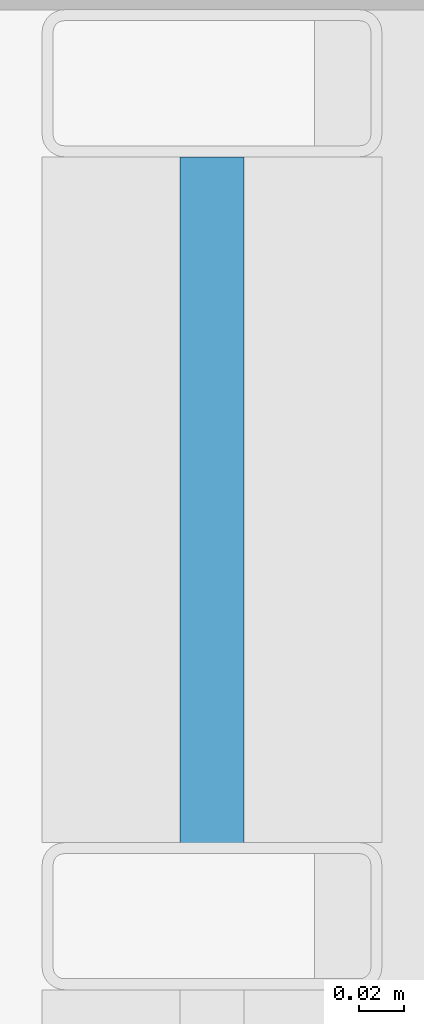
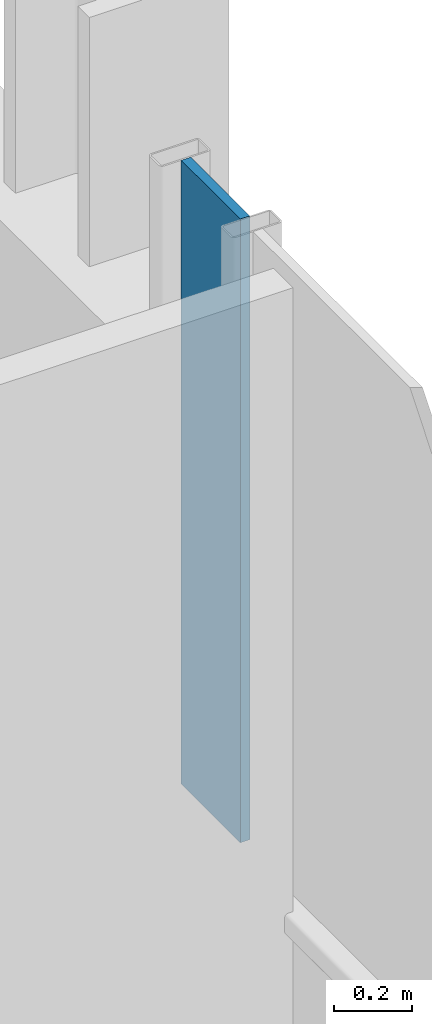
# One storey, part 28 of 41: 1 plate, 1 element without a shape of its own.
"""IFC4 building model written with IfcOpenShell, lengths in metres."""

from ifc_helpers import new_model, si_unit, direction, frame, origin, origin_2d, place, context, subcontext, project, spatial, rectangle, extrude, material, layer, layer_set, type_object, element, aggregate, save


model = new_model("IFC4")

# Units and contexts
model_context = context("Model", 3, precision=1e-05, world=origin(), true_north=direction((0.0, 1.0)))
body_context = subcontext(model_context, "Body", "Model", "MODEL_VIEW")
ifc_project = project(units=[si_unit("LENGTHUNIT", "METRE"), si_unit("AREAUNIT", "SQUARE_METRE"), si_unit("VOLUMEUNIT", "CUBIC_METRE"), si_unit("PLANEANGLEUNIT", "RADIAN"), si_unit("MASSUNIT", "GRAM", prefix="KILO")], contexts=[model_context])

# Site, building, storey
site_placement = place(None, origin())
site = spatial("IfcSite", under=ifc_project, at=site_placement, CompositionType="ELEMENT")
building_placement = place(site_placement, origin())
building = spatial("IfcBuilding", under=site, at=building_placement, Name="Brevholm Reach", CompositionType="ELEMENT")
storey_placement = place(building_placement, frame((0.0, 0.0, 106.60009765625)))
storey = spatial("IfcBuildingStorey", under=building, at=storey_placement, Name="L31", CompositionType="ELEMENT", Elevation=106.60009765625)

# Curtain wall, plate
ifc_material_1 = material(Name="Dark Anodised Aluminium 6063-T6 and Solar-Control Glass", Category="aluminium")
ifc_layer_1 = layer(ifc_material_1, 0.14990234375)
ifc_layer_set_1 = layer_set([ifc_layer_1], Name="Dark Anodised Aluminium 6063-T6 and Solar-Control Glass")
curtain_wall_type = type_object("IfcCurtainWallType", Name="CW-01", PredefinedType="NOTDEFINED", material=ifc_layer_set_1)
curtain_wall_placement = place(storey_placement, origin())
curtain_wall = element("IfcCurtainWall", 1, at=curtain_wall_placement, inside=storey, type_object=curtain_wall_type, Name="L31 Curtain Wall CW-01", PredefinedType="NOTDEFINED")
ifc_material_2 = material(Name="Dark Solar-Control Double-Glazed IGU Glass", Category="glass")
ifc_layer_2 = layer(ifc_material_2, 0.028076171875)
ifc_layer_set_2 = layer_set([ifc_layer_2], Name="Dark Solar-Control Double-Glazed IGU Glass")
plate_type = type_object("IfcPlateType", Name="CWP-GLZ-28", PredefinedType="CURTAIN_PANEL", material=ifc_layer_set_2)
plate_placement = place(storey_placement, frame((59.85009765625, 22.733642578125, 0.9326171875), z_axis=(0.0, 0.0, 1.0), x_axis=(0.0, 1.0, 0.0)))
plate = element("IfcPlate", 2, at=plate_placement, type_object=plate_type, Name="CP-01 Glazing Panel 5.2", PredefinedType="CURTAIN_PANEL", context=body_context, shape_type="SweptSolid", body=[
    extrude(rectangle(XDim=0.302490234375, YDim=0.028076171875, at=origin_2d()), origin(), (0.0, 0.0, 1.0), 1.947509765625),
])
aggregate(curtain_wall, [plate])

save(model, "model.ifc")
